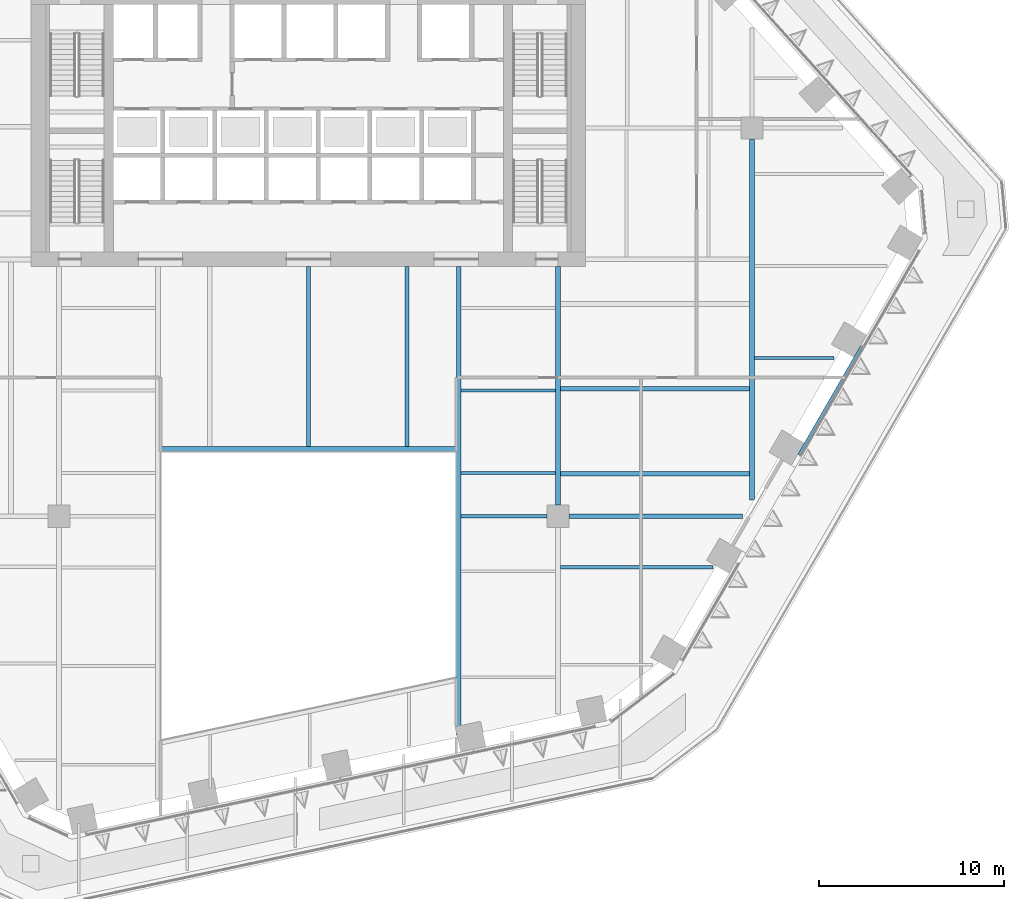
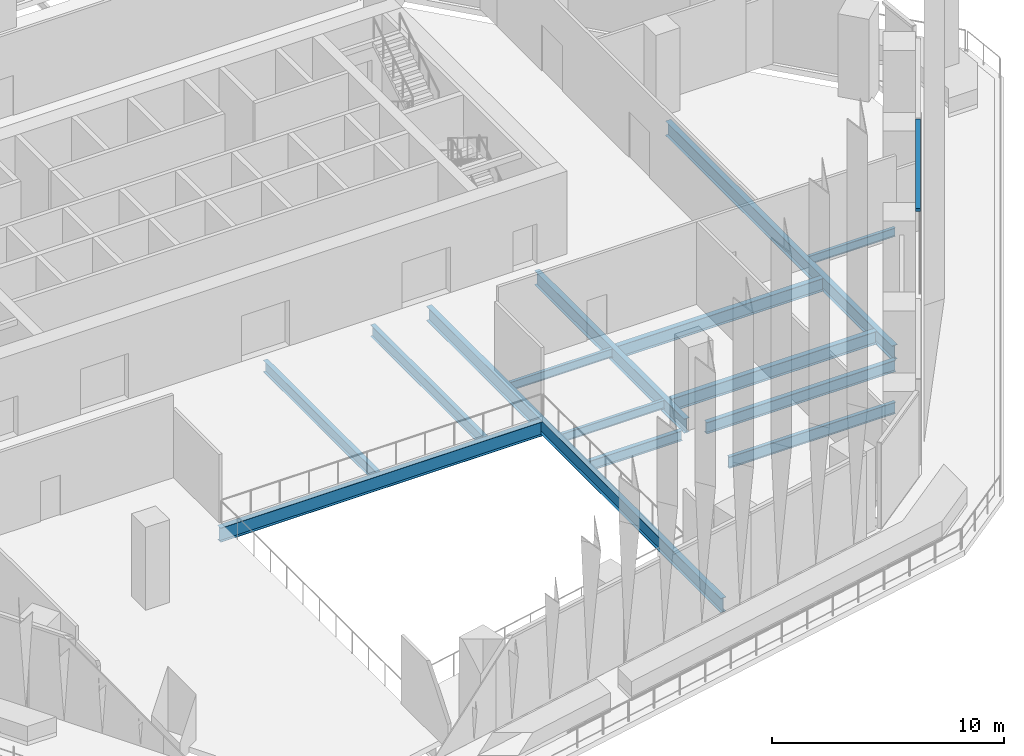
# One storey, part 5 of 27: 14 beams, 1 member, 1 element without a shape of its own.
"""IFC4 building model written with IfcOpenShell, lengths in metres."""

from ifc_helpers import new_model, si_unit, direction, frame, origin, origin_2d, place, context, subcontext, project, spatial, rectangle, i_section, extrude, material, layer, layer_set, material_profile, profile_set, type_object, element, aggregate, save


model = new_model("IFC4")

# Units and contexts
model_context = context("Model", 3, precision=1e-05, world=origin(), true_north=direction((0.0, 1.0)))
body_context = subcontext(model_context, "Body", "Model", "MODEL_VIEW")
ifc_project = project(units=[si_unit("LENGTHUNIT", "METRE"), si_unit("AREAUNIT", "SQUARE_METRE"), si_unit("VOLUMEUNIT", "CUBIC_METRE"), si_unit("PLANEANGLEUNIT", "RADIAN"), si_unit("MASSUNIT", "GRAM", prefix="KILO")], contexts=[model_context])

# Site, building, storey
site_placement = place(None, origin())
site = spatial("IfcSite", under=ifc_project, at=site_placement, CompositionType="ELEMENT")
building_placement = place(site_placement, origin())
building = spatial("IfcBuilding", under=site, at=building_placement, Name="Isthmus Gate Tower", CompositionType="ELEMENT")
storey_placement = place(building_placement, frame((0.0, 0.0, 121.64990234375)))
storey = spatial("IfcBuildingStorey", under=building, at=storey_placement, Name="L29", CompositionType="ELEMENT", Elevation=121.64990234375)

# Curtain wall, member
ifc_material_1 = material(Name="Aluminium, pale champagne anodised", Category="aluminium")
ifc_layer = layer(ifc_material_1, 0.199951171875)
ifc_layer_set = layer_set([ifc_layer], Name="CW-1 UNITISED CURTAIN WALL 200 DEEP")
curtain_wall_type = type_object("IfcCurtainWallType", Name="CW-1 UNITISED CURTAIN WALL 200 DEEP", PredefinedType="NOTDEFINED", material=ifc_layer_set)
curtain_wall_placement = place(storey_placement, origin())
curtain_wall = element("IfcCurtainWall", 1, at=curtain_wall_placement, inside=storey, type_object=curtain_wall_type, Name="CW-1 SE L29", PredefinedType="NOTDEFINED")
ifc_material_2 = material(Name="Aluminium, pale champagne anodised", Category="aluminium")
ifc_material_profile_1 = material_profile(ifc_material_2, rectangle(XDim=0.199951171875, YDim=0.139892578125, at=origin_2d()), Name="200x140")
ifc_profile_set_1 = profile_set([ifc_material_profile_1], Name="Aluminium, pale champagne anodised")
member_type = type_object("IfcMemberType", Name="CW-1 TRANSOM 200 X 140", PredefinedType="USERDEFINED", material=ifc_profile_set_1)
member_placement = place(storey_placement, frame((26.566162109375, -10.18603515625, 4.43017578125), z_axis=(0.499997969693, 0.866026575979, 0.0), x_axis=(-0.866026575979, 0.499997969693, 0.0)))
member = element("IfcMember", 2, at=member_placement, type_object=member_type, Name="CW-1 transom", ObjectType="TRANSOM", PredefinedType="USERDEFINED", context=body_context, shape_type="SweptSolid", body=[
    extrude(rectangle(XDim=0.199951171875, YDim=0.139892578125, at=origin_2d()), origin(), (0.0, 0.0, 1.0), 6.75),
])
aggregate(curtain_wall, [member])

# Beams
ifc_material_3 = material(Name="Structural steel ASTM A992 Gr 50", Category="steel")
ifc_material_profile_2 = material_profile(ifc_material_3, i_section(OverallWidth=0.15234375, OverallDepth=0.45068359375, WebThickness=0.0078125, FlangeThickness=0.010986328125, at=origin_2d()), Name="W18X35")
ifc_profile_set_2 = profile_set([ifc_material_profile_2], Name="Structural steel ASTM A992 Gr 50")
beam_type_1 = type_object("IfcBeamType", Name="STEEL FLOOR BEAM W18X35", PredefinedType="JOIST", material=ifc_profile_set_2)
for number, where, z_axis, x_axis, name in (
    (3, (8.263427734375, -11.16259765625, -0.525390625), (1.0, 0.0, 0.0), (0.0, 1.0, 0.0), "str-beam-L29-10-00"),
    (4, (8.263427734375, -6.697509765625, -0.525390625), (1.0, 0.0, 0.0), (0.0, 1.0, 0.0), "str-beam-L29-10-01"),
):
    element("IfcBeam", number, at=place(storey_placement, frame(where, z_axis=z_axis, x_axis=x_axis)), inside=storey, type_object=beam_type_1, Name=name, PredefinedType="JOIST", context=body_context, shape_type="SweptSolid", body=[
        extrude(i_section(OverallWidth=0.15234375, OverallDepth=0.45068359375, WebThickness=0.0078125, FlangeThickness=0.010986328125, at=origin_2d()), origin(), (0.0, 0.0, 1.0), 5.104736328125),
    ])
beam_1_placement = place(storey_placement, frame((24.13330078125, -4.931396484375, -0.525390625), z_axis=(1.0, 0.0, 0.0), x_axis=(0.0, 1.0, 0.0)))
element("IfcBeam", 5, at=beam_1_placement, inside=storey, type_object=beam_type_1, Name="str-beam-L29-16-00", PredefinedType="JOIST", context=body_context, shape_type="SweptSolid", body=[
    extrude(i_section(OverallWidth=0.15234375, OverallDepth=0.45068359375, WebThickness=0.0078125, FlangeThickness=0.010986328125, at=origin_2d()), origin(), (0.0, 0.0, 1.0), 4.306396484375),
])
ifc_material_4 = material(Name="Structural steel ASTM A992 Gr 50", Category="steel")
ifc_material_profile_3 = material_profile(ifc_material_4, i_section(OverallWidth=0.177734375, OverallDepth=0.60009765625, WebThickness=0.009521484375, FlangeThickness=0.0126953125, at=origin_2d()), Name="W24X55")
ifc_profile_set_3 = profile_set([ifc_material_profile_3], Name="Structural steel ASTM A992 Gr 50")
beam_type_2 = type_object("IfcBeamType", Name="STEEL FLOOR BEAM W24X55", PredefinedType="JOIST", material=ifc_profile_set_3)
beam_2_placement = place(storey_placement, frame((13.626953125, -16.25537109375, -0.599853515625), z_axis=(1.0, 0.0, 0.0), x_axis=(0.0, 1.0, 0.0)))
element("IfcBeam", 6, at=beam_2_placement, inside=storey, type_object=beam_type_2, Name="str-beam-L29-11-01", PredefinedType="JOIST", context=body_context, shape_type="SweptSolid", body=[
    extrude(i_section(OverallWidth=0.177734375, OverallDepth=0.60009765625, WebThickness=0.009521484375, FlangeThickness=0.0126953125, at=origin_2d()), origin(), (0.0, 0.0, 1.0), 8.27490234375),
])
ifc_material_5 = material(Name="Structural steel ASTM A992 Gr 50", Category="steel")
ifc_material_profile_4 = material_profile(ifc_material_5, i_section(OverallWidth=0.228515625, OverallDepth=0.603271484375, WebThickness=0.010986328125, FlangeThickness=0.014404296875, at=origin_2d()), Name="W24X68")
ifc_profile_set_4 = profile_set([ifc_material_profile_4], Name="Structural steel ASTM A992 Gr 50")
beam_type_3 = type_object("IfcBeamType", Name="STEEL FLOOR BEAM W24X68", PredefinedType="JOIST", material=ifc_profile_set_4)
for number, where, z_axis, x_axis, name in (
    (7, (0.0, -9.7333984375, -0.6015625), (0.0, 1.0, 0.0), (-1.0, 0.0, 0.0), "str-beam-L29-06-01"),
    (8, (5.333251953125, -9.7333984375, -0.6015625), (0.0, 1.0, 0.0), (-1.0, 0.0, 0.0), "str-beam-L29-06-02"),
):
    element("IfcBeam", number, at=place(storey_placement, frame(where, z_axis=z_axis, x_axis=x_axis)), inside=storey, type_object=beam_type_3, Name=name, PredefinedType="JOIST", context=body_context, shape_type="SweptSolid", body=[
        extrude(i_section(OverallWidth=0.228515625, OverallDepth=0.603271484375, WebThickness=0.010986328125, FlangeThickness=0.014404296875, at=origin_2d()), origin(), (0.0, 0.0, 1.0), 9.7333984375),
    ])
ifc_material_6 = material(Name="Structural steel ASTM A992 Gr 50", Category="steel")
ifc_material_profile_5 = material_profile(ifc_material_6, i_section(OverallWidth=0.25390625, OverallDepth=0.679443359375, WebThickness=0.010986328125, FlangeThickness=0.015869140625, at=origin_2d()), Name="W27X84")
ifc_profile_set_5 = profile_set([ifc_material_profile_5], Name="Structural steel ASTM A992 Gr 50")
beam_type_4 = type_object("IfcBeamType", Name="STEEL FLOOR BEAM W27X84", PredefinedType="JOIST", material=ifc_profile_set_5)
for number, where, z_axis, x_axis, name in (
    (9, (13.6318359375, -11.202392578125, -0.6396484375), (1.0, 0.0, 0.0), (0.0, 1.0, 0.0), "str-beam-L29-12-00"),
    (10, (13.6318359375, -6.607177734375, -0.6396484375), (1.0, 0.0, 0.0), (0.0, 1.0, 0.0), "str-beam-L29-12-01"),
):
    element("IfcBeam", number, at=place(storey_placement, frame(where, z_axis=z_axis, x_axis=x_axis)), inside=storey, type_object=beam_type_4, Name=name, PredefinedType="JOIST", context=body_context, shape_type="SweptSolid", body=[
        extrude(i_section(OverallWidth=0.25390625, OverallDepth=0.679443359375, WebThickness=0.010986328125, FlangeThickness=0.015869140625, at=origin_2d()), origin(), (0.0, 0.0, 1.0), 10.23486328125),
    ])
ifc_material_7 = material(Name="Structural steel ASTM A992 Gr 50", Category="steel")
ifc_material_profile_6 = material_profile(ifc_material_7, i_section(OverallWidth=0.20947265625, OverallDepth=0.533447265625, WebThickness=0.009521484375, FlangeThickness=0.015869140625, at=origin_2d()), Name="W21X62")
ifc_profile_set_6 = profile_set([ifc_material_profile_6], Name="Structural steel ASTM A992 Gr 50")
beam_type_5 = type_object("IfcBeamType", Name="STEEL GIRDER W21X62", PredefinedType="BEAM", material=ifc_profile_set_6)
beam_3_placement = place(storey_placement, frame((8.263427734375, -13.5, -0.566650390625), z_axis=(1.0, 0.0, 0.0), x_axis=(0.0, 1.0, 0.0)))
element("IfcBeam", 11, at=beam_3_placement, inside=storey, type_object=beam_type_5, Name="str-girder-L29-03", PredefinedType="BEAM", context=body_context, shape_type="SweptSolid", body=[
    extrude(i_section(OverallWidth=0.20947265625, OverallDepth=0.533447265625, WebThickness=0.009521484375, FlangeThickness=0.015869140625, at=origin_2d()), origin(), (0.0, 0.0, 1.0), 4.636474609375),
])
ifc_material_8 = material(Name="Structural steel ASTM A992 Gr 50", Category="steel")
ifc_material_profile_7 = material_profile(ifc_material_8, i_section(OverallWidth=0.228515625, OverallDepth=0.6064453125, WebThickness=0.010986328125, FlangeThickness=0.017578125, at=origin_2d()), Name="W24X76")
ifc_profile_set_7 = profile_set([ifc_material_profile_7], Name="Structural steel ASTM A992 Gr 50")
beam_type_6 = type_object("IfcBeamType", Name="STEEL GIRDER W24X76", PredefinedType="BEAM", material=ifc_profile_set_7)
beam_4_placement = place(storey_placement, frame((14.10009765625, -13.5, -0.60302734375), z_axis=(1.0, 0.0, 0.0), x_axis=(0.0, 1.0, 0.0)))
element("IfcBeam", 12, at=beam_4_placement, inside=storey, type_object=beam_type_6, Name="str-girder-L29-04", PredefinedType="BEAM", context=body_context, shape_type="SweptSolid", body=[
    extrude(i_section(OverallWidth=0.228515625, OverallDepth=0.6064453125, WebThickness=0.010986328125, FlangeThickness=0.017578125, at=origin_2d()), origin(), (0.0, 0.0, 1.0), 9.392578125),
])
ifc_material_9 = material(Name="Structural steel ASTM A992 Gr 50", Category="steel")
ifc_material_profile_8 = material_profile(ifc_material_9, i_section(OverallWidth=0.2666015625, OverallDepth=0.7587890625, WebThickness=0.014404296875, FlangeThickness=0.01904296875, at=origin_2d()), Name="W30X108")
ifc_profile_set_8 = profile_set([ifc_material_profile_8], Name="Structural steel ASTM A992 Gr 50")
beam_type_7 = type_object("IfcBeamType", Name="STEEL GIRDER W30X108", PredefinedType="BEAM", material=ifc_profile_set_8)
beam_5_placement = place(storey_placement, frame((24.0, -12.62109375, -0.67919921875), z_axis=(0.0, 1.0, 0.0), x_axis=(-1.0, 0.0, 0.0)))
element("IfcBeam", 13, at=beam_5_placement, inside=storey, type_object=beam_type_7, Name="str-girder-L29-11", PredefinedType="BEAM", context=body_context, shape_type="SweptSolid", body=[
    extrude(i_section(OverallWidth=0.2666015625, OverallDepth=0.7587890625, WebThickness=0.014404296875, FlangeThickness=0.01904296875, at=origin_2d()), origin(), (0.0, 0.0, 1.0), 19.52099609375),
])
ifc_material_10 = material(Name="Structural steel ASTM A992 Gr 50", Category="steel")
ifc_material_profile_9 = material_profile(ifc_material_10, i_section(OverallWidth=0.263427734375, OverallDepth=0.749267578125, WebThickness=0.0126953125, FlangeThickness=0.015869140625, at=origin_2d()), Name="W30X90")
ifc_profile_set_9 = profile_set([ifc_material_profile_9], Name="Structural steel ASTM A992 Gr 50")
beam_type_8 = type_object("IfcBeamType", Name="STEEL GIRDER W30X90", PredefinedType="BEAM", material=ifc_profile_set_9)
beam_6_placement = place(storey_placement, frame((13.5, -12.89990234375, -0.674560546875), z_axis=(0.0, 1.0, 0.0), x_axis=(-1.0, 0.0, 0.0)))
element("IfcBeam", 14, at=beam_6_placement, inside=storey, type_object=beam_type_8, Name="str-girder-L29-10", PredefinedType="BEAM", context=body_context, shape_type="SweptSolid", body=[
    extrude(i_section(OverallWidth=0.263427734375, OverallDepth=0.749267578125, WebThickness=0.0126953125, FlangeThickness=0.015869140625, at=origin_2d()), origin(), (0.0, 0.0, 1.0), 12.89990234375),
])
ifc_material_11 = material(Name="Structural steel ASTM A992 Gr 50", Category="steel")
ifc_material_profile_10 = material_profile(ifc_material_11, i_section(OverallWidth=0.2666015625, OverallDepth=0.7587890625, WebThickness=0.014404296875, FlangeThickness=0.01904296875, at=origin_2d()), Name="W30X108")
ifc_profile_set_10 = profile_set([ifc_material_profile_10], Name="Structural steel ASTM A992 Gr 50")
beam_type_9 = type_object("IfcBeamType", Name="STEEL TRIMMER W30X108", PredefinedType="BEAM", material=ifc_profile_set_10)
beam_7_placement = place(storey_placement, frame((8.0, -9.86669921875, -0.67919921875), z_axis=(-1.0, 0.0, 0.0), x_axis=(0.0, -1.0, 0.0)))
element("IfcBeam", 15, at=beam_7_placement, inside=storey, type_object=beam_type_9, Name="str-trimmer-L29-04", PredefinedType="BEAM", context=body_context, shape_type="SweptSolid", body=[
    extrude(i_section(OverallWidth=0.2666015625, OverallDepth=0.7587890625, WebThickness=0.014404296875, FlangeThickness=0.01904296875, at=origin_2d()), origin(), (0.0, 0.0, 1.0), 16.0),
])
ifc_material_12 = material(Name="Structural steel ASTM A992 Gr 50", Category="steel")
ifc_material_profile_11 = material_profile(ifc_material_12, i_section(OverallWidth=0.263427734375, OverallDepth=0.749267578125, WebThickness=0.0126953125, FlangeThickness=0.015869140625, at=origin_2d()), Name="W30X90")
ifc_profile_set_11 = profile_set([ifc_material_profile_11], Name="Structural steel ASTM A992 Gr 50")
beam_type_10 = type_object("IfcBeamType", Name="STEEL TRIMMER W30X90", PredefinedType="BEAM", material=ifc_profile_set_11)
beam_8_placement = place(storey_placement, frame((8.1318359375, -25.346435546875, -0.674560546875), z_axis=(0.0, 1.0, 0.0), x_axis=(-1.0, 0.0, 0.0)))
element("IfcBeam", 16, at=beam_8_placement, inside=storey, type_object=beam_type_10, Name="str-trimmer-L29-01", PredefinedType="BEAM", context=body_context, shape_type="SweptSolid", body=[
    extrude(i_section(OverallWidth=0.263427734375, OverallDepth=0.749267578125, WebThickness=0.0126953125, FlangeThickness=0.015869140625, at=origin_2d()), origin(), (0.0, 0.0, 1.0), 25.346435546875),
])

save(model, "model.ifc")
